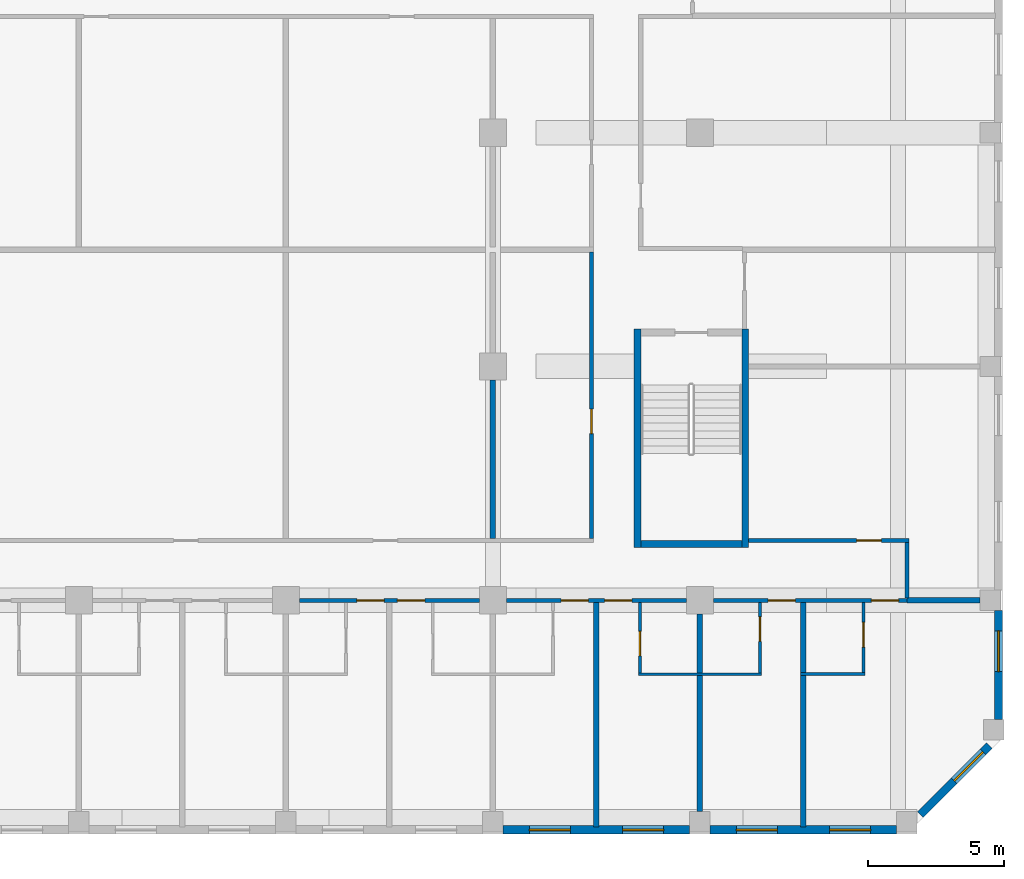
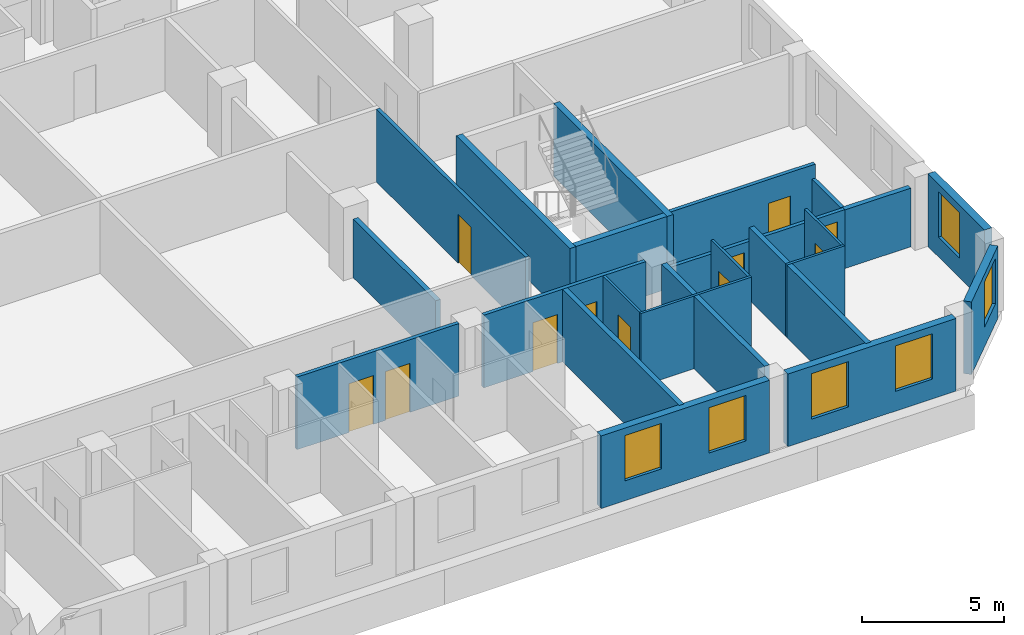
# One storey, part 5 of 16: 25 walls, 11 doors, 6 windows, 17 openings.
"""IFC4 building model written with IfcOpenShell, lengths in metres."""

from ifc_helpers import new_model, si_unit, direction, frame, frame_2d, origin, place, context, subcontext, project, spatial, rectangle, extrude, source, transform, mapped, material, layer, layer_set, type_object, element, fill, save


model = new_model("IFC4")

# Units and contexts
model_context = context("Model", 3, precision=1e-05, world=origin(), true_north=direction((0.0, 1.0)))
body_context = subcontext(model_context, "Body", "Model", "MODEL_VIEW")
ifc_project = project(units=[si_unit("LENGTHUNIT", "METRE"), si_unit("AREAUNIT", "SQUARE_METRE"), si_unit("VOLUMEUNIT", "CUBIC_METRE"), si_unit("PLANEANGLEUNIT", "RADIAN"), si_unit("MASSUNIT", "GRAM", prefix="KILO")], contexts=[model_context])

# Site, building, storey
site_placement = place(None, origin())
site = spatial("IfcSite", under=ifc_project, at=site_placement, CompositionType="ELEMENT")
building_placement = place(site_placement, origin())
building = spatial("IfcBuilding", under=site, at=building_placement, Name="Kilnfold Tower and Market Hall", CompositionType="ELEMENT")
storey_placement = place(building_placement, frame((0.0, 0.0, 199.89990234375)))
storey = spatial("IfcBuildingStorey", under=building, at=storey_placement, Name="L48", CompositionType="ELEMENT", Elevation=199.89990234375)

# Wall, openings, doors
ifc_material_1 = material(Name="Gypsum board on steel studs", Category="steel")
ifc_layer_1 = layer(ifc_material_1, 0.14990234375)
ifc_layer_set_1 = layer_set([ifc_layer_1], Name="Gypsum board on steel studs")
wall_type_1 = type_object("IfcWallType", Name="WALL CORRIDOR 150", PredefinedType="PARTITIONING", material=ifc_layer_set_1)
wall_1_placement = place(storey_placement, frame((5.5, -17.699951171875, 0.0), z_axis=(0.0, 0.0, 1.0), x_axis=(1.0, 0.0, 0.0)))
wall_1 = element("IfcWall", 1, at=wall_1_placement, inside=storey, type_object=wall_type_1, Name="Partition LY30.4", PredefinedType="PARTITIONING", context=body_context, shape_type="SweptSolid", body=[
    extrude(rectangle(XDim=6.5830078125, YDim=0.14990234375, at=frame_2d((3.29150390625, 0.0))), origin(), (0.0, 0.0, 1.0), 3.1201171875),
])
opening_1_placement = place(wall_1_placement, frame((2.10107421875, 0.0, 0.0)))
opening_1 = element("IfcOpeningElement", 2, at=opening_1_placement, cuts=wall_1, Name="Opening D1", PredefinedType="OPENING", context=body_context, shape_type="SweptSolid", body=[
    extrude(rectangle(XDim=1.0, YDim=2.10009765625, at=frame_2d((0.5, 1.050048828125))), frame((0.0, 0.0849609375, 0.0), z_axis=(0.0, -1.0, 0.0), x_axis=(1.0, 0.0, 0.0)), (0.0, 0.0, 1.0), 0.169921875),
])
opening_2_placement = place(wall_1_placement, frame((3.5869140625, 0.0, 0.0)))
opening_2 = element("IfcOpeningElement", 3, at=opening_2_placement, cuts=wall_1, Name="Opening D1", PredefinedType="OPENING", context=body_context, shape_type="SweptSolid", body=[
    extrude(rectangle(XDim=1.0, YDim=2.10009765625, at=frame_2d((0.5, 1.050048828125))), frame((0.0, 0.0849609375, 0.0), z_axis=(0.0, -1.0, 0.0), x_axis=(1.0, 0.0, 0.0)), (0.0, 0.0, 1.0), 0.169921875),
])
ifc_material_2 = material(Name="Timber veneer door leaf in steel frame", Category="steel")
door_type_1 = type_object("IfcDoorType", Name="DOOR ENTRY 1000 X2100", OperationType="NOTDEFINED", PredefinedType="DOOR", material=ifc_material_2)
door_1_placement = place(opening_1_placement, origin())
door_1 = element("IfcDoor", 4, at=door_1_placement, inside=storey, type_object=door_type_1, Name="Door D1", OperationType="SINGLE_SWING_LEFT", OverallHeight=2.10009765625, OverallWidth=1.0, PredefinedType="DOOR", context=body_context, shape_type="SweptSolid", body=[
    extrude(rectangle(XDim=1.0, YDim=2.10009765625, at=frame_2d((0.5, 1.050048828125))), frame((0.0, 0.02490234375, 0.0), z_axis=(0.0, -1.0, 0.0), x_axis=(1.0, 0.0, 0.0)), (0.0, 0.0, 1.0), 0.050048828125),
])
fill(opening_1, door_1)
door_2_placement = place(opening_2_placement, origin())
door_2 = element("IfcDoor", 5, at=door_2_placement, inside=storey, type_object=door_type_1, Name="Door D1", OperationType="SINGLE_SWING_RIGHT", OverallHeight=2.10009765625, OverallWidth=1.0, PredefinedType="DOOR", context=body_context, shape_type="SweptSolid", body=[
    extrude(rectangle(XDim=1.0, YDim=2.10009765625, at=frame_2d((0.5, 1.050048828125))), frame((0.0, 0.02490234375, 0.0), z_axis=(0.0, -1.0, 0.0), x_axis=(1.0, 0.0, 0.0)), (0.0, 0.0, 1.0), 0.050048828125),
])
fill(opening_2, door_2)

wall_2_placement = place(storey_placement, frame((13.0830078125, -17.699951171875, 0.0), z_axis=(0.0, 0.0, 1.0), x_axis=(1.0, 0.0, 0.0)))
wall_2 = element("IfcWall", 6, at=wall_2_placement, inside=storey, type_object=wall_type_1, Name="Partition LY30.5", PredefinedType="PARTITIONING", context=body_context, shape_type="SweptSolid", body=[
    extrude(rectangle(XDim=6.583984375, YDim=0.14990234375, at=frame_2d((3.2919921875, 0.0))), origin(), (0.0, 0.0, 1.0), 3.1201171875),
])
opening_3_placement = place(wall_2_placement, frame((1.99609375, 0.0, 0.0)))
opening_3 = element("IfcOpeningElement", 7, at=opening_3_placement, cuts=wall_2, Name="Opening D1", PredefinedType="OPENING", context=body_context, shape_type="SweptSolid", body=[
    extrude(rectangle(XDim=1.0, YDim=2.10009765625, at=frame_2d((0.5, 1.050048828125))), frame((0.0, 0.0849609375, 0.0), z_axis=(0.0, -1.0, 0.0), x_axis=(1.0, 0.0, 0.0)), (0.0, 0.0, 1.0), 0.169921875),
])
opening_4_placement = place(wall_2_placement, frame((3.587890625, 0.0, 0.0)))
opening_4 = element("IfcOpeningElement", 8, at=opening_4_placement, cuts=wall_2, Name="Opening D1", PredefinedType="OPENING", context=body_context, shape_type="SweptSolid", body=[
    extrude(rectangle(XDim=1.0, YDim=2.10009765625, at=frame_2d((0.5, 1.050048828125))), frame((0.0, 0.0849609375, 0.0), z_axis=(0.0, -1.0, 0.0), x_axis=(1.0, 0.0, 0.0)), (0.0, 0.0, 1.0), 0.169921875),
])
door_3_placement = place(opening_3_placement, origin())
door_3 = element("IfcDoor", 9, at=door_3_placement, inside=storey, type_object=door_type_1, Name="Door D1", OperationType="SINGLE_SWING_RIGHT", OverallHeight=2.10009765625, OverallWidth=1.0, PredefinedType="DOOR", context=body_context, shape_type="SweptSolid", body=[
    extrude(rectangle(XDim=1.0, YDim=2.10009765625, at=frame_2d((0.5, 1.050048828125))), frame((0.0, 0.02490234375, 0.0), z_axis=(0.0, -1.0, 0.0), x_axis=(1.0, 0.0, 0.0)), (0.0, 0.0, 1.0), 0.050048828125),
])
fill(opening_3, door_3)
door_4_placement = place(opening_4_placement, origin())
door_4 = element("IfcDoor", 10, at=door_4_placement, inside=storey, type_object=door_type_1, Name="Door D1", OperationType="SINGLE_SWING_RIGHT", OverallHeight=2.10009765625, OverallWidth=1.0, PredefinedType="DOOR", context=body_context, shape_type="SweptSolid", body=[
    extrude(rectangle(XDim=1.0, YDim=2.10009765625, at=frame_2d((0.5, 1.050048828125))), frame((0.0, 0.02490234375, 0.0), z_axis=(0.0, -1.0, 0.0), x_axis=(1.0, 0.0, 0.0)), (0.0, 0.0, 1.0), 0.050048828125),
])
fill(opening_4, door_4)

wall_3_placement = place(storey_placement, frame((20.6669921875, -17.699951171875, 0.0), z_axis=(0.0, 0.0, 1.0), x_axis=(1.0, 0.0, 0.0)))
wall_3 = element("IfcWall", 11, at=wall_3_placement, inside=storey, type_object=wall_type_1, Name="Partition LY30.6", PredefinedType="PARTITIONING", context=body_context, shape_type="SweptSolid", body=[
    extrude(rectangle(XDim=7.0830078125, YDim=0.14990234375, at=frame_2d((3.54150390625, 0.0))), origin(), (0.0, 0.0, 1.0), 2.52001953125),
])
opening_5_placement = place(wall_3_placement, frame((1.99609375, 0.0, 0.0)))
opening_5 = element("IfcOpeningElement", 12, at=opening_5_placement, cuts=wall_3, Name="Opening D1", PredefinedType="OPENING", context=body_context, shape_type="SweptSolid", body=[
    extrude(rectangle(XDim=1.0, YDim=2.10009765625, at=frame_2d((0.5, 1.050048828125))), frame((0.0, 0.0849609375, 0.0), z_axis=(0.0, -1.0, 0.0), x_axis=(1.0, 0.0, 0.0)), (0.0, 0.0, 1.0), 0.169921875),
])
opening_6_placement = place(wall_3_placement, frame((5.781982421875, 0.0, 0.0)))
opening_6 = element("IfcOpeningElement", 13, at=opening_6_placement, cuts=wall_3, Name="Opening D1", PredefinedType="OPENING", context=body_context, shape_type="SweptSolid", body=[
    extrude(rectangle(XDim=1.0, YDim=2.10009765625, at=frame_2d((0.5, 1.050048828125))), frame((0.0, 0.0849609375, 0.0), z_axis=(0.0, -1.0, 0.0), x_axis=(1.0, 0.0, 0.0)), (0.0, 0.0, 1.0), 0.169921875),
])
door_5_placement = place(opening_5_placement, origin())
door_5 = element("IfcDoor", 14, at=door_5_placement, inside=storey, type_object=door_type_1, Name="Door D1", OperationType="SINGLE_SWING_RIGHT", OverallHeight=2.10009765625, OverallWidth=1.0, PredefinedType="DOOR", context=body_context, shape_type="SweptSolid", body=[
    extrude(rectangle(XDim=1.0, YDim=2.10009765625, at=frame_2d((0.5, 1.050048828125))), frame((0.0, 0.02490234375, 0.0), z_axis=(0.0, -1.0, 0.0), x_axis=(1.0, 0.0, 0.0)), (0.0, 0.0, 1.0), 0.050048828125),
])
fill(opening_5, door_5)
door_6_placement = place(opening_6_placement, origin())
door_6 = element("IfcDoor", 15, at=door_6_placement, inside=storey, type_object=door_type_1, Name="Door D1", OperationType="SINGLE_SWING_RIGHT", OverallHeight=2.10009765625, OverallWidth=1.0, PredefinedType="DOOR", context=body_context, shape_type="SweptSolid", body=[
    extrude(rectangle(XDim=1.0, YDim=2.10009765625, at=frame_2d((0.5, 1.050048828125))), frame((0.0, 0.02490234375, 0.0), z_axis=(0.0, -1.0, 0.0), x_axis=(1.0, 0.0, 0.0)), (0.0, 0.0, 1.0), 0.050048828125),
])
fill(opening_6, door_6)

# Wall, opening, door
wall_4_placement = place(storey_placement, frame((21.949951171875, -15.5, 0.0), z_axis=(0.0, 0.0, 1.0), x_axis=(1.0, 0.0, 0.0)))
wall_4 = element("IfcWall", 16, at=wall_4_placement, inside=storey, type_object=wall_type_1, Name="Partition LY30.29", PredefinedType="PARTITIONING", context=body_context, shape_type="SweptSolid", body=[
    extrude(rectangle(XDim=5.875, YDim=0.14990234375, at=frame_2d((2.9375, 0.0))), origin(), (0.0, 0.0, 1.0), 3.1201171875),
])
opening_7_placement = place(wall_4_placement, frame((3.9619140625, 0.0, 0.0)))
opening_7 = element("IfcOpeningElement", 17, at=opening_7_placement, cuts=wall_4, Name="Opening D2", PredefinedType="OPENING", context=body_context, shape_type="SweptSolid", body=[
    extrude(rectangle(XDim=0.89990234375, YDim=2.10009765625, at=frame_2d((0.449951171875, 1.050048828125))), frame((0.0, 0.0849609375, 0.0), z_axis=(0.0, -1.0, 0.0), x_axis=(1.0, 0.0, 0.0)), (0.0, 0.0, 1.0), 0.169921875),
])
ifc_material_3 = material(Name="Timber veneer door leaf in steel frame", Category="steel")
door_type_2 = type_object("IfcDoorType", Name="DOOR ROOM 900 X2100", OperationType="NOTDEFINED", PredefinedType="DOOR", material=ifc_material_3)
door_7_placement = place(opening_7_placement, origin())
door_7 = element("IfcDoor", 18, at=door_7_placement, inside=storey, type_object=door_type_2, Name="Door D2", OperationType="SINGLE_SWING_LEFT", OverallHeight=2.10009765625, OverallWidth=0.89990234375, PredefinedType="DOOR", context=body_context, shape_type="SweptSolid", body=[
    extrude(rectangle(XDim=0.89990234375, YDim=2.10009765625, at=frame_2d((0.449951171875, 1.050048828125))), frame((0.0, 0.02490234375, 0.0), z_axis=(0.0, -1.0, 0.0), x_axis=(1.0, 0.0, 0.0)), (0.0, 0.0, 1.0), 0.050048828125),
])
fill(opening_7, door_7)

# Wall
wall_5_placement = place(storey_placement, frame((27.75, -17.597900390625, 0.0), z_axis=(0.0, 0.0, 1.0), x_axis=(0.0, 1.0, 0.0)))
element("IfcWall", 19, at=wall_5_placement, inside=storey, type_object=wall_type_1, Name="Partition LY30.30", PredefinedType="PARTITIONING", context=body_context, shape_type="SweptSolid", body=[
    extrude(rectangle(XDim=2.02294921875, YDim=0.14990234375, at=frame_2d((1.011474609375, 0.0))), origin(), (0.0, 0.0, 1.0), 2.52001953125),
])

# Wall, opening, door
wall_6_placement = place(storey_placement, frame((16.199951171875, -15.425048828125, 0.0), z_axis=(0.0, 0.0, 1.0), x_axis=(0.0, 1.0, 0.0)))
wall_6 = element("IfcWall", 20, at=wall_6_placement, inside=storey, type_object=wall_type_1, Name="Partition LY30.41", PredefinedType="PARTITIONING", context=body_context, shape_type="SweptSolid", body=[
    extrude(rectangle(XDim=10.491943359375, YDim=0.14990234375, at=frame_2d((5.24609375, 0.0))), origin(), (0.0, 0.0, 1.0), 3.1201171875),
])
opening_8_placement = place(wall_6_placement, frame((3.8359375, 0.0, 0.0)))
opening_8 = element("IfcOpeningElement", 21, at=opening_8_placement, cuts=wall_6, Name="Opening D2", PredefinedType="OPENING", context=body_context, shape_type="SweptSolid", body=[
    extrude(rectangle(XDim=0.89990234375, YDim=2.10009765625, at=frame_2d((0.449951171875, 1.050048828125))), frame((0.0, 0.0849609375, 0.0), z_axis=(0.0, -1.0, 0.0), x_axis=(1.0, 0.0, 0.0)), (0.0, 0.0, 1.0), 0.169921875),
])
door_8_placement = place(opening_8_placement, origin())
door_8 = element("IfcDoor", 22, at=door_8_placement, inside=storey, type_object=door_type_2, Name="Door D2", OperationType="SINGLE_SWING_RIGHT", OverallHeight=2.10009765625, OverallWidth=0.89990234375, PredefinedType="DOOR", context=body_context, shape_type="SweptSolid", body=[
    extrude(rectangle(XDim=0.89990234375, YDim=2.10009765625, at=frame_2d((0.449951171875, 1.050048828125))), frame((0.0, 0.02490234375, 0.0), z_axis=(0.0, -1.0, 0.0), x_axis=(1.0, 0.0, 0.0)), (0.0, 0.0, 1.0), 0.050048828125),
])
fill(opening_8, door_8)

ifc_material_4 = material(Name="Gypsum board on steel studs", Category="steel")
ifc_layer_2 = layer(ifc_material_4, 0.10009765625)
ifc_layer_set_2 = layer_set([ifc_layer_2], Name="Gypsum board on steel studs")
wall_type_2 = type_object("IfcWallType", Name="WALL PARTITION 100", PredefinedType="PARTITIONING", material=ifc_layer_set_2)
wall_7_placement = place(storey_placement, frame((17.967041015625, -20.35205078125, 0.0), z_axis=(0.0, 0.0, 1.0), x_axis=(0.0, 1.0, 0.0)))
wall_7 = element("IfcWall", 23, at=wall_7_placement, inside=storey, type_object=wall_type_2, Name="Partition LY30.71", PredefinedType="PARTITIONING", context=body_context, shape_type="SweptSolid", body=[
    extrude(rectangle(XDim=2.574951171875, YDim=0.10009765625, at=frame_2d((1.28759765625, 0.0))), origin(), (0.0, 0.0, 1.0), 3.1201171875),
])
opening_9_placement = place(wall_7_placement, frame((0.625, 0.0, 0.0)))
opening_9 = element("IfcOpeningElement", 24, at=opening_9_placement, cuts=wall_7, Name="Opening D3", PredefinedType="OPENING", context=body_context, shape_type="SweptSolid", body=[
    extrude(rectangle(XDim=0.89990234375, YDim=2.10009765625, at=frame_2d((0.449951171875, 1.050048828125))), frame((0.0, 0.06005859375, 0.0), z_axis=(0.0, -1.0, 0.0), x_axis=(1.0, 0.0, 0.0)), (0.0, 0.0, 1.0), 0.1201171875),
])
ifc_material_5 = material(Name="Timber veneer door leaf in steel frame", Category="steel")
door_type_3 = type_object("IfcDoorType", Name="DOOR WC 900 X2100", OperationType="NOTDEFINED", PredefinedType="DOOR", material=ifc_material_5)
door_9_placement = place(opening_9_placement, origin())
door_9 = element("IfcDoor", 25, at=door_9_placement, inside=storey, type_object=door_type_3, Name="Door D3", OperationType="SINGLE_SWING_LEFT", OverallHeight=2.10009765625, OverallWidth=0.89990234375, PredefinedType="DOOR", context=body_context, shape_type="SweptSolid", body=[
    extrude(rectangle(XDim=0.89990234375, YDim=2.10009765625, at=frame_2d((0.449951171875, 1.050048828125))), frame((0.0, 0.02490234375, 0.0), z_axis=(0.0, -1.0, 0.0), x_axis=(1.0, 0.0, 0.0)), (0.0, 0.0, 1.0), 0.050048828125),
])
fill(opening_9, door_9)

# Wall
wall_8_placement = place(storey_placement, frame((17.9169921875, -20.402099609375, 0.0), z_axis=(0.0, 0.0, 1.0), x_axis=(1.0, 0.0, 0.0)))
element("IfcWall", 26, at=wall_8_placement, inside=storey, type_object=wall_type_2, Name="Partition LY30.72", PredefinedType="PARTITIONING", context=body_context, shape_type="SweptSolid", body=[
    extrude(rectangle(XDim=4.5, YDim=0.10009765625, at=frame_2d((2.25, 0.0))), origin(), (0.0, 0.0, 1.0), 3.1201171875),
])

# Wall, opening, door
wall_9_placement = place(storey_placement, frame((22.366943359375, -17.777099609375, 0.0), z_axis=(0.0, 0.0, 1.0), x_axis=(0.0, -1.0, 0.0)))
wall_9 = element("IfcWall", 27, at=wall_9_placement, inside=storey, type_object=wall_type_2, Name="Partition LY30.75", PredefinedType="PARTITIONING", context=body_context, shape_type="SweptSolid", body=[
    extrude(rectangle(XDim=2.574951171875, YDim=0.10009765625, at=frame_2d((1.28759765625, 0.0))), origin(), (0.0, 0.0, 1.0), 3.1201171875),
])
opening_10_placement = place(wall_9_placement, frame((0.51904296875, 0.0, 0.0)))
opening_10 = element("IfcOpeningElement", 28, at=opening_10_placement, cuts=wall_9, Name="Opening D3", PredefinedType="OPENING", context=body_context, shape_type="SweptSolid", body=[
    extrude(rectangle(XDim=0.89990234375, YDim=2.10009765625, at=frame_2d((0.449951171875, 1.050048828125))), frame((0.0, 0.06005859375, 0.0), z_axis=(0.0, -1.0, 0.0), x_axis=(1.0, 0.0, 0.0)), (0.0, 0.0, 1.0), 0.1201171875),
])
door_10_placement = place(opening_10_placement, origin())
door_10 = element("IfcDoor", 29, at=door_10_placement, inside=storey, type_object=door_type_3, Name="Door D3", OperationType="SINGLE_SWING_RIGHT", OverallHeight=2.10009765625, OverallWidth=0.89990234375, PredefinedType="DOOR", context=body_context, shape_type="SweptSolid", body=[
    extrude(rectangle(XDim=0.89990234375, YDim=2.10009765625, at=frame_2d((0.449951171875, 1.050048828125))), frame((0.0, 0.02490234375, 0.0), z_axis=(0.0, -1.0, 0.0), x_axis=(1.0, 0.0, 0.0)), (0.0, 0.0, 1.0), 0.050048828125),
])
fill(opening_10, door_10)

# Wall
wall_10_placement = place(storey_placement, frame((23.85888671875, -20.387939453125, 0.0), z_axis=(0.0, 0.0, 1.0), x_axis=(1.0, 0.0, 0.0)))
element("IfcWall", 30, at=wall_10_placement, inside=storey, type_object=wall_type_2, Name="Partition LY30.78", PredefinedType="PARTITIONING", context=body_context, shape_type="SweptSolid", body=[
    extrude(rectangle(XDim=2.35009765625, YDim=0.10009765625, at=frame_2d((1.175048828125, 0.0))), origin(), (0.0, 0.0, 1.0), 3.1201171875),
])

# Wall, opening, door
wall_11_placement = place(storey_placement, frame((26.158935546875, -17.777099609375, 0.0), z_axis=(0.0, 0.0, 1.0), x_axis=(0.0, -1.0, 0.0)))
wall_11 = element("IfcWall", 31, at=wall_11_placement, inside=storey, type_object=wall_type_2, Name="Partition LY30.79", PredefinedType="PARTITIONING", context=body_context, shape_type="SweptSolid", body=[
    extrude(rectangle(XDim=2.560791015625, YDim=0.10009765625, at=frame_2d((1.2802734375, 0.0))), origin(), (0.0, 0.0, 1.0), 3.1201171875),
])
opening_11_placement = place(wall_11_placement, frame((0.72509765625, 0.0, 0.0)))
opening_11 = element("IfcOpeningElement", 32, at=opening_11_placement, cuts=wall_11, Name="Opening D3", PredefinedType="OPENING", context=body_context, shape_type="SweptSolid", body=[
    extrude(rectangle(XDim=0.89990234375, YDim=2.10009765625, at=frame_2d((0.449951171875, 1.050048828125))), frame((0.0, 0.06005859375, 0.0), z_axis=(0.0, -1.0, 0.0), x_axis=(1.0, 0.0, 0.0)), (0.0, 0.0, 1.0), 0.1201171875),
])
door_11_placement = place(opening_11_placement, origin())
door_11 = element("IfcDoor", 33, at=door_11_placement, inside=storey, type_object=door_type_3, Name="Door D3", OperationType="SINGLE_SWING_RIGHT", OverallHeight=2.10009765625, OverallWidth=0.89990234375, PredefinedType="DOOR", context=body_context, shape_type="SweptSolid", body=[
    extrude(rectangle(XDim=0.89990234375, YDim=2.10009765625, at=frame_2d((0.449951171875, 1.050048828125))), frame((0.0, 0.02490234375, 0.0), z_axis=(0.0, -1.0, 0.0), x_axis=(1.0, 0.0, 0.0)), (0.0, 0.0, 1.0), 0.050048828125),
])
fill(opening_11, door_11)

# Walls
ifc_material_6 = material(Name="Gypsum board on steel studs", Category="steel")
ifc_layer_3 = layer(ifc_material_6, 0.199951171875)
ifc_layer_set_3 = layer_set([ifc_layer_3], Name="Gypsum board on steel studs")
wall_type_3 = type_object("IfcWallType", Name="WALL PARTY 200", PredefinedType="PARTITIONING", material=ifc_layer_set_3)
wall_12_placement = place(storey_placement, frame((16.375, -26.0, 0.0), z_axis=(0.0, 0.0, 1.0), x_axis=(0.0, 1.0, 0.0)))
element("IfcWall", 34, at=wall_12_placement, inside=storey, type_object=wall_type_3, Name="Partition LY30.70", PredefinedType="PARTITIONING", context=body_context, shape_type="SweptSolid", body=[
    extrude(rectangle(XDim=8.222900390625, YDim=0.199951171875, at=frame_2d((4.111328125, 0.0))), origin(), (0.0, 0.0, 1.0), 3.1201171875),
])
wall_13_placement = place(storey_placement, frame((20.1669921875, -25.425048828125, 0.0), z_axis=(0.0, 0.0, 1.0), x_axis=(0.0, 1.0, 0.0)))
element("IfcWall", 35, at=wall_13_placement, inside=storey, type_object=wall_type_3, Name="Partition LY30.73", PredefinedType="PARTITIONING", context=body_context, shape_type="SweptSolid", body=[
    extrude(rectangle(XDim=4.97314453125, YDim=0.199951171875, at=frame_2d((2.486572265625, 0.0))), origin(), (0.0, 0.0, 1.0), 3.1201171875),
])
wall_14_placement = place(storey_placement, frame((20.1669921875, -20.35205078125, 0.0), z_axis=(0.0, 0.0, 1.0), x_axis=(0.0, 1.0, 0.0)))
element("IfcWall", 36, at=wall_14_placement, inside=storey, type_object=wall_type_3, Name="Partition LY30.74", PredefinedType="PARTITIONING", context=body_context, shape_type="SweptSolid", body=[
    extrude(rectangle(XDim=2.1640625, YDim=0.199951171875, at=frame_2d((1.08203125, 0.0))), origin(), (0.0, 0.0, 1.0), 3.1201171875),
])
wall_15_placement = place(storey_placement, frame((23.958984375, -26.0, 0.0), z_axis=(0.0, 0.0, 1.0), x_axis=(0.0, 1.0, 0.0)))
element("IfcWall", 37, at=wall_15_placement, inside=storey, type_object=wall_type_3, Name="Partition LY30.76", PredefinedType="PARTITIONING", context=body_context, shape_type="SweptSolid", body=[
    extrude(rectangle(XDim=5.572021484375, YDim=0.199951171875, at=frame_2d((2.7861328125, 0.0))), origin(), (0.0, 0.0, 1.0), 3.1201171875),
])
wall_16_placement = place(storey_placement, frame((23.958984375, -20.347900390625, 0.0), z_axis=(0.0, 0.0, 1.0), x_axis=(0.0, 1.0, 0.0)))
element("IfcWall", 38, at=wall_16_placement, inside=storey, type_object=wall_type_3, Name="Partition LY30.77", PredefinedType="PARTITIONING", context=body_context, shape_type="SweptSolid", body=[
    extrude(rectangle(XDim=2.57080078125, YDim=0.199951171875, at=frame_2d((1.285400390625, 0.0))), origin(), (0.0, 0.0, 1.0), 3.1201171875),
])
wall_17_placement = place(storey_placement, frame((27.751953125, -17.68798828125, 0.0), z_axis=(0.0, 0.0, 1.0), x_axis=(1.0, 0.0, 0.0)))
element("IfcWall", 39, at=wall_17_placement, inside=storey, type_object=wall_type_3, Name="Partition LY30.80", PredefinedType="PARTITIONING", context=body_context, shape_type="SweptSolid", body=[
    extrude(rectangle(XDim=2.673095703125, YDim=0.199951171875, at=frame_2d((1.33642578125, 0.0))), origin(), (0.0, 0.0, 1.0), 2.52001953125),
])
wall_18_placement = place(storey_placement, frame((12.5830078125, -15.423095703125, 0.0), z_axis=(0.0, 0.0, 1.0), x_axis=(0.0, 1.0, 0.0)))
element("IfcWall", 40, at=wall_18_placement, inside=storey, type_object=wall_type_3, Name="Partition LY30.120", PredefinedType="PARTITIONING", context=body_context, shape_type="SweptSolid", body=[
    extrude(rectangle(XDim=5.798095703125, YDim=0.199951171875, at=frame_2d((2.89892578125, 0.0))), origin(), (0.0, 0.0, 1.0), 2.52001953125),
])
ifc_material_7 = material(Name="Concrete C60", Category="concrete")
ifc_layer_4 = layer(ifc_material_7, 0.25)
ifc_layer_set_4 = layer_set([ifc_layer_4], Name="Concrete C60")
wall_type_4 = type_object("IfcWallType", Name="CORE WALL 250 C60", PredefinedType="SHEAR", material=ifc_layer_set_4)
shared_shape_1 = source(origin(), body_context, "Body", "SweptSolid", [
    extrude(rectangle(XDim=3.699951171875, YDim=0.25, at=frame_2d((1.85009765625, 0.0))), origin(), (0.0, 0.0, 1.0), 3.1201171875),
])
wall_19_placement = place(storey_placement, frame((18.0, -15.625, 0.0), z_axis=(0.0, 0.0, 1.0), x_axis=(1.0, 0.0, 0.0)))
element("IfcWall", 41, at=wall_19_placement, inside=storey, type_object=wall_type_4, Name="Stair enclosure ST4", PredefinedType="SHEAR", context=body_context, shape_type="MappedRepresentation", body=[
    mapped(shared_shape_1, transform((0.0, 0.0, 0.0))),
])
shared_shape_2 = source(origin(), body_context, "Body", "SweptSolid", [
    extrude(rectangle(XDim=8.0, YDim=0.25, at=frame_2d((4.0, 0.0))), origin(), (0.0, 0.0, 1.0), 3.1201171875),
])
for number, where, z_axis, x_axis, name in (
    (42, (17.875, -15.75, 0.0), (0.0, 0.0, 1.0), (0.0, 1.0, 0.0), "Stair enclosure ST4"),
    (43, (21.824951171875, -15.75, 0.0), (0.0, 0.0, 1.0), (0.0, 1.0, 0.0), "Stair enclosure ST4"),
):
    element("IfcWall", number, at=place(storey_placement, frame(where, z_axis=z_axis, x_axis=x_axis)), inside=storey, type_object=wall_type_4, Name=name, PredefinedType="SHEAR", context=body_context, shape_type="MappedRepresentation", body=[
        mapped(shared_shape_2, transform((0.0, 0.0, 0.0))),
    ])

# Wall, openings, windows
ifc_material_8 = material(Name="Precast concrete C50/60", Category="concrete")
ifc_layer_5 = layer(ifc_material_8, 0.300048828125)
ifc_layer_set_5 = layer_set([ifc_layer_5], Name="Precast concrete C50/60")
wall_type_5 = type_object("IfcWallType", Name="PRECAST WALL 300", PredefinedType="SOLIDWALL", material=ifc_layer_set_5)
shared_shape_3 = source(origin(), body_context, "Body", "SweptSolid", [
    extrude(rectangle(XDim=6.833251953125, YDim=0.300048828125, at=frame_2d((3.41650390625, 0.0))), origin(), (0.0, 0.0, 1.0), 3.1201171875),
])
wall_20_placement = place(storey_placement, frame((20.541748046875, -26.10009765625, 0.0), z_axis=(0.0, 0.0, 1.0), x_axis=(1.0, 0.0, 0.0)))
wall_20 = element("IfcWall", 44, at=wall_20_placement, inside=storey, type_object=wall_type_5, Name="External wall L48 S", PredefinedType="SOLIDWALL", context=body_context, shape_type="MappedRepresentation", body=[
    mapped(shared_shape_3, transform((0.0, 0.0, 0.0))),
])
opening_12_placement = place(wall_20_placement, frame((0.958251953125, 0.0, 0.85009765625)))
opening_12 = element("IfcOpeningElement", 45, at=opening_12_placement, cuts=wall_20, Name="Opening W4", PredefinedType="OPENING", context=body_context, shape_type="SweptSolid", body=[
    extrude(rectangle(XDim=1.5, YDim=1.949951171875, at=frame_2d((0.75, 0.97509765625))), frame((0.0, 0.16015625, 0.0), z_axis=(0.0, -1.0, 0.0), x_axis=(1.0, 0.0, 0.0)), (0.0, 0.0, 1.0), 0.320068359375),
])
opening_13_placement = place(wall_20_placement, frame((4.375, 0.0, 0.85009765625)))
opening_13 = element("IfcOpeningElement", 46, at=opening_13_placement, cuts=wall_20, Name="Opening W4", PredefinedType="OPENING", context=body_context, shape_type="SweptSolid", body=[
    extrude(rectangle(XDim=1.5, YDim=1.949951171875, at=frame_2d((0.75, 0.97509765625))), frame((0.0, 0.16015625, 0.0), z_axis=(0.0, -1.0, 0.0), x_axis=(1.0, 0.0, 0.0)), (0.0, 0.0, 1.0), 0.320068359375),
])
ifc_material_9 = material(Name="Aluminium frame and double glazing", Category="aluminium")
window_type = type_object("IfcWindowType", Name="WINDOW W4 1500X1950", PartitioningType="SINGLE_PANEL", PredefinedType="WINDOW", material=ifc_material_9)
window_1_placement = place(opening_12_placement, origin())
window_1 = element("IfcWindow", 47, at=window_1_placement, inside=storey, type_object=window_type, Name="Window W4 L48 S-1", OverallHeight=1.949951171875, OverallWidth=1.5, PartitioningType="SINGLE_PANEL", PredefinedType="WINDOW", context=body_context, shape_type="SweptSolid", body=[
    extrude(rectangle(XDim=1.5, YDim=1.949951171875, at=frame_2d((0.75, 0.97509765625))), frame((0.0, 0.030029296875, 0.0), z_axis=(0.0, -1.0, 0.0), x_axis=(1.0, 0.0, 0.0)), (0.0, 0.0, 1.0), 0.06005859375),
])
fill(opening_12, window_1)
window_2_placement = place(opening_13_placement, origin())
window_2 = element("IfcWindow", 48, at=window_2_placement, inside=storey, type_object=window_type, Name="Window W4 L48 S-2", OverallHeight=1.949951171875, OverallWidth=1.5, PartitioningType="SINGLE_PANEL", PredefinedType="WINDOW", context=body_context, shape_type="SweptSolid", body=[
    extrude(rectangle(XDim=1.5, YDim=1.949951171875, at=frame_2d((0.75, 0.97509765625))), frame((0.0, 0.030029296875, 0.0), z_axis=(0.0, -1.0, 0.0), x_axis=(1.0, 0.0, 0.0)), (0.0, 0.0, 1.0), 0.06005859375),
])
fill(opening_13, window_2)

shared_shape_4 = source(origin(), body_context, "Body", "SweptSolid", [
    extrude(rectangle(XDim=6.83349609375, YDim=0.300048828125, at=frame_2d((3.416748046875, 0.0))), origin(), (0.0, 0.0, 1.0), 3.1201171875),
])
wall_21_placement = place(storey_placement, frame((12.958251953125, -26.10009765625, 0.0), z_axis=(0.0, 0.0, 1.0), x_axis=(1.0, 0.0, 0.0)))
wall_21 = element("IfcWall", 49, at=wall_21_placement, inside=storey, type_object=wall_type_5, Name="External wall L48 S", PredefinedType="SOLIDWALL", context=body_context, shape_type="MappedRepresentation", body=[
    mapped(shared_shape_4, transform((0.0, 0.0, 0.0))),
])
opening_14_placement = place(wall_21_placement, frame((0.958251953125, 0.0, 0.85009765625)))
opening_14 = element("IfcOpeningElement", 50, at=opening_14_placement, cuts=wall_21, Name="Opening W4", PredefinedType="OPENING", context=body_context, shape_type="SweptSolid", body=[
    extrude(rectangle(XDim=1.5, YDim=1.949951171875, at=frame_2d((0.75, 0.97509765625))), frame((0.0, 0.16015625, 0.0), z_axis=(0.0, -1.0, 0.0), x_axis=(1.0, 0.0, 0.0)), (0.0, 0.0, 1.0), 0.320068359375),
])
opening_15_placement = place(wall_21_placement, frame((4.375, 0.0, 0.85009765625)))
opening_15 = element("IfcOpeningElement", 51, at=opening_15_placement, cuts=wall_21, Name="Opening W4", PredefinedType="OPENING", context=body_context, shape_type="SweptSolid", body=[
    extrude(rectangle(XDim=1.5, YDim=1.949951171875, at=frame_2d((0.75, 0.97509765625))), frame((0.0, 0.16015625, 0.0), z_axis=(0.0, -1.0, 0.0), x_axis=(1.0, 0.0, 0.0)), (0.0, 0.0, 1.0), 0.320068359375),
])
window_3_placement = place(opening_14_placement, origin())
window_3 = element("IfcWindow", 52, at=window_3_placement, inside=storey, type_object=window_type, Name="Window W4 L48 S-1", OverallHeight=1.949951171875, OverallWidth=1.5, PartitioningType="SINGLE_PANEL", PredefinedType="WINDOW", context=body_context, shape_type="SweptSolid", body=[
    extrude(rectangle(XDim=1.5, YDim=1.949951171875, at=frame_2d((0.75, 0.97509765625))), frame((0.0, 0.030029296875, 0.0), z_axis=(0.0, -1.0, 0.0), x_axis=(1.0, 0.0, 0.0)), (0.0, 0.0, 1.0), 0.06005859375),
])
fill(opening_14, window_3)
window_4_placement = place(opening_15_placement, origin())
window_4 = element("IfcWindow", 53, at=window_4_placement, inside=storey, type_object=window_type, Name="Window W4 L48 S-2", OverallHeight=1.949951171875, OverallWidth=1.5, PartitioningType="SINGLE_PANEL", PredefinedType="WINDOW", context=body_context, shape_type="SweptSolid", body=[
    extrude(rectangle(XDim=1.5, YDim=1.949951171875, at=frame_2d((0.75, 0.97509765625))), frame((0.0, 0.030029296875, 0.0), z_axis=(0.0, -1.0, 0.0), x_axis=(1.0, 0.0, 0.0)), (0.0, 0.0, 1.0), 0.06005859375),
])
fill(opening_15, window_4)

# Wall, opening, window
shared_shape_5 = source(origin(), body_context, "Body", "SweptSolid", [
    extrude(rectangle(XDim=3.571044921875, YDim=0.300048828125, at=frame_2d((1.78564453125, 0.0))), origin(), (0.0, 0.0, 1.0), 3.1201171875),
])
wall_22_placement = place(storey_placement, frame((28.243896484375, -25.5439453125, 0.0), z_axis=(0.0, 0.0, 1.0), x_axis=(0.707072595841, 0.707140964879, 0.0)))
wall_22 = element("IfcWall", 54, at=wall_22_placement, inside=storey, type_object=wall_type_5, Name="External wall L48 SE", PredefinedType="SOLIDWALL", context=body_context, shape_type="MappedRepresentation", body=[
    mapped(shared_shape_5, transform((0.0, 0.0, 0.0))),
])
opening_16_placement = place(wall_22_placement, frame((1.75, 0.0, 0.85009765625)))
opening_16 = element("IfcOpeningElement", 55, at=opening_16_placement, cuts=wall_22, Name="Opening W4", PredefinedType="OPENING", context=body_context, shape_type="SweptSolid", body=[
    extrude(rectangle(XDim=1.5, YDim=1.949951171875, at=frame_2d((0.75, 0.97509765625))), frame((0.0, 0.16015625, 0.0), z_axis=(0.0, -1.0, 0.0), x_axis=(1.0, 0.0, 0.0)), (0.0, 0.0, 1.0), 0.320068359375),
])
window_5_placement = place(opening_16_placement, origin())
window_5 = element("IfcWindow", 56, at=window_5_placement, inside=storey, type_object=window_type, Name="Window W4 L48 SE-1", OverallHeight=1.949951171875, OverallWidth=1.5, PartitioningType="SINGLE_PANEL", PredefinedType="WINDOW", context=body_context, shape_type="SweptSolid", body=[
    extrude(rectangle(XDim=1.5, YDim=1.949951171875, at=frame_2d((0.75, 0.97509765625))), frame((0.0, 0.030029296875, 0.0), z_axis=(0.0, -1.0, 0.0), x_axis=(1.0, 0.0, 0.0)), (0.0, 0.0, 1.0), 0.06005859375),
])
fill(opening_16, window_5)

shared_shape_6 = source(origin(), body_context, "Body", "SweptSolid", [
    extrude(rectangle(XDim=3.994384765625, YDim=0.300048828125, at=frame_2d((1.9970703125, 0.0))), origin(), (0.0, 0.0, 1.0), 3.1201171875),
])
wall_23_placement = place(storey_placement, frame((31.10009765625, -22.056884765625, 0.0), z_axis=(0.0, 0.0, 1.0), x_axis=(0.0, 1.0, 0.0)))
wall_23 = element("IfcWall", 57, at=wall_23_placement, inside=storey, type_object=wall_type_5, Name="External wall L48 E", PredefinedType="SOLIDWALL", context=body_context, shape_type="MappedRepresentation", body=[
    mapped(shared_shape_6, transform((0.0, 0.0, 0.0))),
])
opening_17_placement = place(wall_23_placement, frame((1.75, 0.0, 0.85009765625)))
opening_17 = element("IfcOpeningElement", 58, at=opening_17_placement, cuts=wall_23, Name="Opening W4", PredefinedType="OPENING", context=body_context, shape_type="SweptSolid", body=[
    extrude(rectangle(XDim=1.5, YDim=1.949951171875, at=frame_2d((0.75, 0.97509765625))), frame((0.0, 0.16015625, 0.0), z_axis=(0.0, -1.0, 0.0), x_axis=(1.0, 0.0, 0.0)), (0.0, 0.0, 1.0), 0.320068359375),
])
window_6_placement = place(opening_17_placement, origin())
window_6 = element("IfcWindow", 59, at=window_6_placement, inside=storey, type_object=window_type, Name="Window W4 L48 E-1", OverallHeight=1.949951171875, OverallWidth=1.5, PartitioningType="SINGLE_PANEL", PredefinedType="WINDOW", context=body_context, shape_type="SweptSolid", body=[
    extrude(rectangle(XDim=1.5, YDim=1.949951171875, at=frame_2d((0.75, 0.97509765625))), frame((0.0, 0.030029296875, 0.0), z_axis=(0.0, -1.0, 0.0), x_axis=(1.0, 0.0, 0.0)), (0.0, 0.0, 1.0), 0.06005859375),
])
fill(opening_17, window_6)

save(model, "model.ifc")
